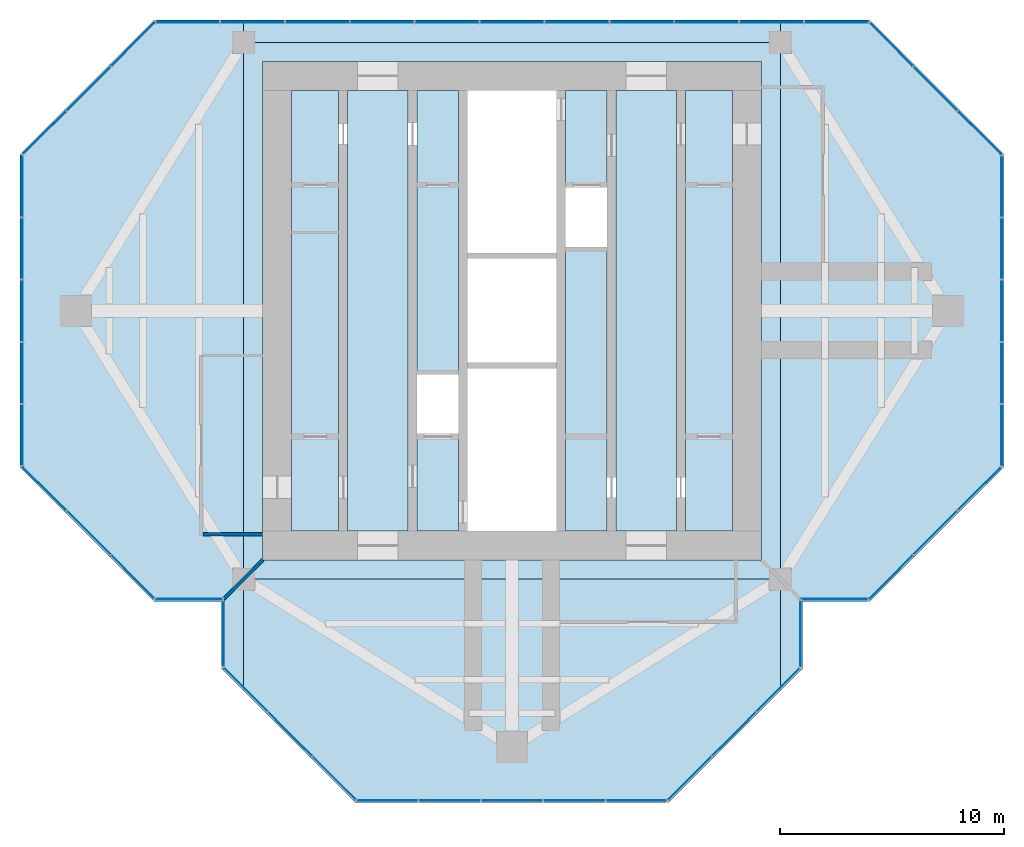
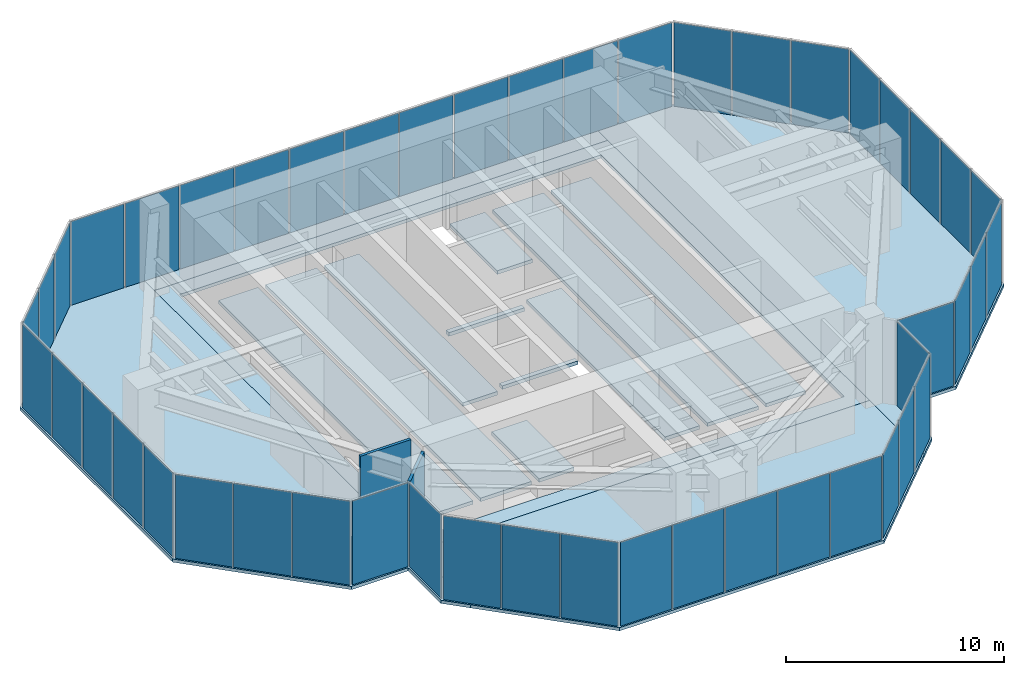
# One storey, part 8 of 10: 48 plates, 6 slabs, 2 walls, 14 elements without a shape of their own.
"""IFC4 building model written with IfcOpenShell, lengths in metres."""

from ifc_helpers import new_model, si_unit, direction, frame, frame_2d, origin, origin_2d, place, context, subcontext, project, spatial, polyline, rectangle, outline, extrude, material, layer, layer_set, type_object, element, aggregate, save


model = new_model("IFC4")

# Units and contexts
model_context = context("Model", 3, precision=1e-05, world=origin(), true_north=direction((0.0, 1.0)))
body_context = subcontext(model_context, "Body", "Model", "MODEL_VIEW")
ifc_project = project(units=[si_unit("LENGTHUNIT", "METRE"), si_unit("AREAUNIT", "SQUARE_METRE"), si_unit("VOLUMEUNIT", "CUBIC_METRE"), si_unit("PLANEANGLEUNIT", "RADIAN"), si_unit("MASSUNIT", "GRAM", prefix="KILO")], contexts=[model_context])

# Site, building, storey
site_placement = place(None, origin())
site = spatial("IfcSite", under=ifc_project, at=site_placement, CompositionType="ELEMENT")
building_placement = place(site_placement, origin())
building = spatial("IfcBuilding", under=site, at=building_placement, Name="Mizan Broadcast Tower", CompositionType="ELEMENT")
storey_placement = place(building_placement, frame((0.0, 0.0, 311.300048828125)))
storey = spatial("IfcBuildingStorey", under=building, at=storey_placement, Name="L74", CompositionType="ELEMENT", Elevation=311.300048828125)

# Slab
ifc_material_1 = material(Name="Concrete C40/50", Category="concrete")
ifc_layer_1 = layer(ifc_material_1, 0.199951171875)
ifc_layer_set_1 = layer_set([ifc_layer_1], Name="Concrete C40/50")
slab_type_1 = type_object("IfcSlabType", Name="CORE FLOOR 200", PredefinedType="FLOOR", material=ifc_layer_set_1)
slab_1_placement = place(storey_placement, frame((0.0, 0.0, -0.199951171875)))
element("IfcSlab", 1, at=slab_1_placement, inside=storey, type_object=slab_type_1, Name="Core floor L74", PredefinedType="FLOOR", context=body_context, shape_type="SweptSolid", body=[
    extrude(outline(polyline([(-9.85009765625, -9.85009765625), (-7.75, -9.85009765625), (-7.75, 9.85009765625), (-9.85009765625, 9.85009765625), (-9.85009765625, -9.85009765625)])), origin(), (0.0, 0.0, 1.0), 0.199951171875),
    extrude(outline(polyline([(-4.64990234375, 9.85009765625), (-7.35009765625, 9.85009765625), (-7.35009765625, -9.85009765625), (-4.64990234375, -9.85009765625), (-4.64990234375, 9.85009765625)])), origin(), (0.0, 0.0, 1.0), 0.199951171875),
    extrude(outline(polyline([(-4.25, -9.85009765625), (-2.39990234375, -9.85009765625), (-2.39990234375, -5.5), (-4.25, -5.5), (-4.25, -9.85009765625)])), origin(), (0.0, 0.0, 1.0), 0.199951171875),
    extrude(outline(polyline([(-4.25, -2.85009765625), (-2.39990234375, -2.85009765625), (-2.39990234375, 9.85009765625), (-4.25, 9.85009765625), (-4.25, -2.85009765625)])), origin(), (0.0, 0.0, 1.0), 0.199951171875),
    extrude(outline(polyline([(2.0, -2.324951171875), (-2.0, -2.324951171875), (-2.0, -2.574951171875), (2.0, -2.574951171875), (2.0, -2.324951171875)])), origin(), (0.0, 0.0, 1.0), 0.199951171875),
    extrude(outline(polyline([(2.0, 2.574951171875), (-2.0, 2.574951171875), (-2.0, 2.324951171875), (2.0, 2.324951171875), (2.0, 2.574951171875)])), origin(), (0.0, 0.0, 1.0), 0.199951171875),
    extrude(outline(polyline([(4.25, -9.85009765625), (4.25, 2.85009765625), (2.39990234375, 2.85009765625), (2.39990234375, -9.85009765625), (4.25, -9.85009765625)])), origin(), (0.0, 0.0, 1.0), 0.199951171875),
    extrude(outline(polyline([(4.25, 5.5), (4.25, 9.85009765625), (2.39990234375, 9.85009765625), (2.39990234375, 5.5), (4.25, 5.5)])), origin(), (0.0, 0.0, 1.0), 0.199951171875),
    extrude(outline(polyline([(7.35009765625, 9.85009765625), (4.64990234375, 9.85009765625), (4.64990234375, -9.85009765625), (7.35009765625, -9.85009765625), (7.35009765625, 9.85009765625)])), origin(), (0.0, 0.0, 1.0), 0.199951171875),
    extrude(outline(polyline([(9.85009765625, -9.85009765625), (9.85009765625, 9.85009765625), (7.75, 9.85009765625), (7.75, -9.85009765625), (9.85009765625, -9.85009765625)])), origin(), (0.0, 0.0, 1.0), 0.199951171875),
])

# Curtain wall, plate
ifc_material_2 = material(Name="Aluminium framed glazing", Category="aluminium")
curtain_wall_type = type_object("IfcCurtainWallType", Name="LANTERN", PredefinedType="USERDEFINED", material=ifc_material_2)
curtain_wall_1_placement = place(storey_placement, origin())
curtain_wall_1 = element("IfcCurtainWall", 2, at=curtain_wall_1_placement, inside=storey, type_object=curtain_wall_type, Name="Lantern L74 E side", ObjectType="LANTERN", PredefinedType="USERDEFINED")
ifc_material_3 = material(Name="Double glazing, clear laminated", Category="glass")
ifc_layer_2 = layer(ifc_material_3, 0.031982421875)
ifc_layer_set_2 = layer_set([ifc_layer_2], Name="Double glazing, clear laminated")
plate_type = type_object("IfcPlateType", Name="PODIUM GLAZING UNIT", PredefinedType="CURTAIN_PANEL", material=ifc_layer_set_2)
plate_1_placement = place(storey_placement, frame((14.42919921875, -12.89990234375, 0.0), z_axis=(0.0, 0.0, 1.0), x_axis=(1.0, 0.0, 0.0)))
plate_1 = element("IfcPlate", 3, at=plate_1_placement, type_object=plate_type, Name="Lantern L74 E side panel 1.1", PredefinedType="CURTAIN_PANEL", context=body_context, shape_type="SweptSolid", body=[
    extrude(rectangle(XDim=2.9384765625, YDim=0.031982421875, at=origin_2d()), origin(), (0.0, 0.0, 1.0), 4.68994140625),
])
aggregate(curtain_wall_1, [plate_1])

# Curtain wall, plates
curtain_wall_2_placement = place(storey_placement, origin())
curtain_wall_2 = element("IfcCurtainWall", 4, at=curtain_wall_2_placement, inside=storey, type_object=curtain_wall_type, Name="Lantern L74 E chamfer", ObjectType="LANTERN", PredefinedType="USERDEFINED")
plate_2_placement = place(storey_placement, frame((16.95947265625, -11.899169921875, 0.0), z_axis=(0.0, 0.0, 1.0), x_axis=(0.707106781187, 0.707106781187, 0.0)))
plate_2 = element("IfcPlate", 5, at=plate_2_placement, type_object=plate_type, Name="Lantern L74 E chamfer panel 1.1", PredefinedType="CURTAIN_PANEL", context=body_context, shape_type="SweptSolid", body=[
    extrude(rectangle(XDim=2.710693359375, YDim=0.031982421875, at=origin_2d()), origin(), (0.0, 0.0, 1.0), 4.68994140625),
])
plate_3_placement = place(storey_placement, frame((18.92919921875, -9.92919921875, 0.0), z_axis=(0.0, 0.0, 1.0), x_axis=(0.707106781187, 0.707106781187, 0.0)))
plate_3 = element("IfcPlate", 6, at=plate_3_placement, type_object=plate_type, Name="Lantern L74 E chamfer panel 2.1", PredefinedType="CURTAIN_PANEL", context=body_context, shape_type="SweptSolid", body=[
    extrude(rectangle(XDim=2.74072265625, YDim=0.031982421875, at=origin_2d()), origin(), (0.0, 0.0, 1.0), 4.68994140625),
])
plate_4_placement = place(storey_placement, frame((20.899169921875, -7.95947265625, 0.0), z_axis=(0.0, 0.0, 1.0), x_axis=(0.707106781187, 0.707106781187, 0.0)))
plate_4 = element("IfcPlate", 7, at=plate_4_placement, type_object=plate_type, Name="Lantern L74 E chamfer panel 3.1", PredefinedType="CURTAIN_PANEL", context=body_context, shape_type="SweptSolid", body=[
    extrude(rectangle(XDim=2.710693359375, YDim=0.031982421875, at=origin_2d()), origin(), (0.0, 0.0, 1.0), 4.68994140625),
])
aggregate(curtain_wall_2, [plate_2, plate_3, plate_4])

curtain_wall_3_placement = place(storey_placement, origin())
curtain_wall_3 = element("IfcCurtainWall", 8, at=curtain_wall_3_placement, inside=storey, type_object=curtain_wall_type, Name="Lantern L74 E end", ObjectType="LANTERN", PredefinedType="USERDEFINED")
plate_5_placement = place(storey_placement, frame((21.89990234375, -5.5517578125, 0.0), z_axis=(0.0, 0.0, 1.0), x_axis=(0.0, 1.0, 0.0)))
plate_5 = element("IfcPlate", 9, at=plate_5_placement, type_object=plate_type, Name="Lantern L74 E end panel 1.1", PredefinedType="CURTAIN_PANEL", context=body_context, shape_type="SweptSolid", body=[
    extrude(rectangle(XDim=2.693359375, YDim=0.031982421875, at=origin_2d()), origin(), (0.0, 0.0, 1.0), 4.68994140625),
])
plate_6_placement = place(storey_placement, frame((21.89990234375, -2.783447265625, 0.0), z_axis=(0.0, 0.0, 1.0), x_axis=(0.0, 1.0, 0.0)))
plate_6 = element("IfcPlate", 10, at=plate_6_placement, type_object=plate_type, Name="Lantern L74 E end panel 2.1", PredefinedType="CURTAIN_PANEL", context=body_context, shape_type="SweptSolid", body=[
    extrude(rectangle(XDim=2.723388671875, YDim=0.031982421875, at=origin_2d()), origin(), (0.0, 0.0, 1.0), 4.68994140625),
])
plate_7_placement = place(storey_placement, frame((21.89990234375, 0.0, 0.0), z_axis=(0.0, 0.0, 1.0), x_axis=(0.0, 1.0, 0.0)))
plate_7 = element("IfcPlate", 11, at=plate_7_placement, type_object=plate_type, Name="Lantern L74 E end panel 3.1", PredefinedType="CURTAIN_PANEL", context=body_context, shape_type="SweptSolid", body=[
    extrude(rectangle(XDim=2.723388671875, YDim=0.031982421875, at=origin_2d()), origin(), (0.0, 0.0, 1.0), 4.68994140625),
])
plate_8_placement = place(storey_placement, frame((21.89990234375, 2.783447265625, 0.0), z_axis=(0.0, 0.0, 1.0), x_axis=(0.0, 1.0, 0.0)))
plate_8 = element("IfcPlate", 12, at=plate_8_placement, type_object=plate_type, Name="Lantern L74 E end panel 4.1", PredefinedType="CURTAIN_PANEL", context=body_context, shape_type="SweptSolid", body=[
    extrude(rectangle(XDim=2.723388671875, YDim=0.031982421875, at=origin_2d()), origin(), (0.0, 0.0, 1.0), 4.68994140625),
])
plate_9_placement = place(storey_placement, frame((21.89990234375, 5.5517578125, 0.0), z_axis=(0.0, 0.0, 1.0), x_axis=(0.0, 1.0, 0.0)))
plate_9 = element("IfcPlate", 13, at=plate_9_placement, type_object=plate_type, Name="Lantern L74 E end panel 5.1", PredefinedType="CURTAIN_PANEL", context=body_context, shape_type="SweptSolid", body=[
    extrude(rectangle(XDim=2.693359375, YDim=0.031982421875, at=origin_2d()), origin(), (0.0, 0.0, 1.0), 4.68994140625),
])
aggregate(curtain_wall_3, [plate_5, plate_6, plate_7, plate_8, plate_9])

curtain_wall_4_placement = place(storey_placement, origin())
curtain_wall_4 = element("IfcCurtainWall", 14, at=curtain_wall_4_placement, inside=storey, type_object=curtain_wall_type, Name="Lantern L74 E chamfer", ObjectType="LANTERN", PredefinedType="USERDEFINED")
plate_10_placement = place(storey_placement, frame((20.899169921875, 7.95947265625, 0.0), z_axis=(0.0, 0.0, 1.0), x_axis=(-0.707106781187, 0.707106781187, 0.0)))
plate_10 = element("IfcPlate", 15, at=plate_10_placement, type_object=plate_type, Name="Lantern L74 E chamfer panel 1.1", PredefinedType="CURTAIN_PANEL", context=body_context, shape_type="SweptSolid", body=[
    extrude(rectangle(XDim=2.710693359375, YDim=0.031982421875, at=origin_2d()), origin(), (0.0, 0.0, 1.0), 4.68994140625),
])
plate_11_placement = place(storey_placement, frame((18.92919921875, 9.92919921875, 0.0), z_axis=(0.0, 0.0, 1.0), x_axis=(-0.707106781187, 0.707106781187, 0.0)))
plate_11 = element("IfcPlate", 16, at=plate_11_placement, type_object=plate_type, Name="Lantern L74 E chamfer panel 2.1", PredefinedType="CURTAIN_PANEL", context=body_context, shape_type="SweptSolid", body=[
    extrude(rectangle(XDim=2.74072265625, YDim=0.031982421875, at=origin_2d()), origin(), (0.0, 0.0, 1.0), 4.68994140625),
])
plate_12_placement = place(storey_placement, frame((16.95947265625, 11.899169921875, 0.0), z_axis=(0.0, 0.0, 1.0), x_axis=(-0.707106781187, 0.707106781187, 0.0)))
plate_12 = element("IfcPlate", 17, at=plate_12_placement, type_object=plate_type, Name="Lantern L74 E chamfer panel 3.1", PredefinedType="CURTAIN_PANEL", context=body_context, shape_type="SweptSolid", body=[
    extrude(rectangle(XDim=2.710693359375, YDim=0.031982421875, at=origin_2d()), origin(), (0.0, 0.0, 1.0), 4.68994140625),
])
aggregate(curtain_wall_4, [plate_10, plate_11, plate_12])

curtain_wall_5_placement = place(storey_placement, origin())
curtain_wall_5 = element("IfcCurtainWall", 18, at=curtain_wall_5_placement, inside=storey, type_object=curtain_wall_type, Name="Lantern L74 N end", ObjectType="LANTERN", PredefinedType="USERDEFINED")
plate_13_placement = place(storey_placement, frame((14.492919921875, 12.89990234375, 0.0), z_axis=(0.0, 0.0, 1.0), x_axis=(-1.0, 0.0, 0.0)))
plate_13 = element("IfcPlate", 19, at=plate_13_placement, type_object=plate_type, Name="Lantern L74 N end panel 1.1", PredefinedType="CURTAIN_PANEL", context=body_context, shape_type="SweptSolid", body=[
    extrude(rectangle(XDim=2.8115234375, YDim=0.031982421875, at=origin_2d()), origin(), (0.0, 0.0, 1.0), 4.68994140625),
])
plate_14_placement = place(storey_placement, frame((11.606201171875, 12.89990234375, 0.0), z_axis=(0.0, 0.0, 1.0), x_axis=(-1.0, 0.0, 0.0)))
plate_14 = element("IfcPlate", 20, at=plate_14_placement, type_object=plate_type, Name="Lantern L74 N end panel 2.1", PredefinedType="CURTAIN_PANEL", context=body_context, shape_type="SweptSolid", body=[
    extrude(rectangle(XDim=2.841552734375, YDim=0.031982421875, at=origin_2d()), origin(), (0.0, 0.0, 1.0), 4.68994140625),
])
plate_15_placement = place(storey_placement, frame((8.70458984375, 12.89990234375, 0.0), z_axis=(0.0, 0.0, 1.0), x_axis=(-1.0, 0.0, 0.0)))
plate_15 = element("IfcPlate", 21, at=plate_15_placement, type_object=plate_type, Name="Lantern L74 N end panel 3.1", PredefinedType="CURTAIN_PANEL", context=body_context, shape_type="SweptSolid", body=[
    extrude(rectangle(XDim=2.841552734375, YDim=0.031982421875, at=origin_2d()), origin(), (0.0, 0.0, 1.0), 4.68994140625),
])
plate_16_placement = place(storey_placement, frame((5.80322265625, 12.89990234375, 0.0), z_axis=(0.0, 0.0, 1.0), x_axis=(-1.0, 0.0, 0.0)))
plate_16 = element("IfcPlate", 22, at=plate_16_placement, type_object=plate_type, Name="Lantern L74 N end panel 4.1", PredefinedType="CURTAIN_PANEL", context=body_context, shape_type="SweptSolid", body=[
    extrude(rectangle(XDim=2.841552734375, YDim=0.031982421875, at=origin_2d()), origin(), (0.0, 0.0, 1.0), 4.68994140625),
])
plate_17_placement = place(storey_placement, frame((2.901611328125, 12.89990234375, 0.0), z_axis=(0.0, 0.0, 1.0), x_axis=(-1.0, 0.0, 0.0)))
plate_17 = element("IfcPlate", 23, at=plate_17_placement, type_object=plate_type, Name="Lantern L74 N end panel 5.1", PredefinedType="CURTAIN_PANEL", context=body_context, shape_type="SweptSolid", body=[
    extrude(rectangle(XDim=2.841552734375, YDim=0.031982421875, at=origin_2d()), origin(), (0.0, 0.0, 1.0), 4.68994140625),
])
plate_18_placement = place(storey_placement, frame((0.0, 12.89990234375, 0.0), z_axis=(0.0, 0.0, 1.0), x_axis=(-1.0, 0.0, 0.0)))
plate_18 = element("IfcPlate", 24, at=plate_18_placement, type_object=plate_type, Name="Lantern L74 N end panel 6.1", PredefinedType="CURTAIN_PANEL", context=body_context, shape_type="SweptSolid", body=[
    extrude(rectangle(XDim=2.841552734375, YDim=0.031982421875, at=origin_2d()), origin(), (0.0, 0.0, 1.0), 4.68994140625),
])
plate_19_placement = place(storey_placement, frame((-2.901611328125, 12.89990234375, 0.0), z_axis=(0.0, 0.0, 1.0), x_axis=(-1.0, 0.0, 0.0)))
plate_19 = element("IfcPlate", 25, at=plate_19_placement, type_object=plate_type, Name="Lantern L74 N end panel 7.1", PredefinedType="CURTAIN_PANEL", context=body_context, shape_type="SweptSolid", body=[
    extrude(rectangle(XDim=2.841552734375, YDim=0.031982421875, at=origin_2d()), origin(), (0.0, 0.0, 1.0), 4.68994140625),
])
plate_20_placement = place(storey_placement, frame((-5.80322265625, 12.89990234375, 0.0), z_axis=(0.0, 0.0, 1.0), x_axis=(-1.0, 0.0, 0.0)))
plate_20 = element("IfcPlate", 26, at=plate_20_placement, type_object=plate_type, Name="Lantern L74 N end panel 8.1", PredefinedType="CURTAIN_PANEL", context=body_context, shape_type="SweptSolid", body=[
    extrude(rectangle(XDim=2.841552734375, YDim=0.031982421875, at=origin_2d()), origin(), (0.0, 0.0, 1.0), 4.68994140625),
])
plate_21_placement = place(storey_placement, frame((-8.70458984375, 12.89990234375, 0.0), z_axis=(0.0, 0.0, 1.0), x_axis=(-1.0, 0.0, 0.0)))
plate_21 = element("IfcPlate", 27, at=plate_21_placement, type_object=plate_type, Name="Lantern L74 N end panel 9.1", PredefinedType="CURTAIN_PANEL", context=body_context, shape_type="SweptSolid", body=[
    extrude(rectangle(XDim=2.841552734375, YDim=0.031982421875, at=origin_2d()), origin(), (0.0, 0.0, 1.0), 4.68994140625),
])
plate_22_placement = place(storey_placement, frame((-11.606201171875, 12.89990234375, 0.0), z_axis=(0.0, 0.0, 1.0), x_axis=(-1.0, 0.0, 0.0)))
plate_22 = element("IfcPlate", 28, at=plate_22_placement, type_object=plate_type, Name="Lantern L74 N end panel 10.1", PredefinedType="CURTAIN_PANEL", context=body_context, shape_type="SweptSolid", body=[
    extrude(rectangle(XDim=2.841552734375, YDim=0.031982421875, at=origin_2d()), origin(), (0.0, 0.0, 1.0), 4.68994140625),
])
plate_23_placement = place(storey_placement, frame((-14.492919921875, 12.89990234375, 0.0), z_axis=(0.0, 0.0, 1.0), x_axis=(-1.0, 0.0, 0.0)))
plate_23 = element("IfcPlate", 29, at=plate_23_placement, type_object=plate_type, Name="Lantern L74 N end panel 11.1", PredefinedType="CURTAIN_PANEL", context=body_context, shape_type="SweptSolid", body=[
    extrude(rectangle(XDim=2.8115234375, YDim=0.031982421875, at=origin_2d()), origin(), (0.0, 0.0, 1.0), 4.68994140625),
])
aggregate(curtain_wall_5, [plate_13, plate_14, plate_15, plate_16, plate_17, plate_18, plate_19, plate_20, plate_21, plate_22, plate_23])

curtain_wall_6_placement = place(storey_placement, origin())
curtain_wall_6 = element("IfcCurtainWall", 30, at=curtain_wall_6_placement, inside=storey, type_object=curtain_wall_type, Name="Lantern L74 W chamfer", ObjectType="LANTERN", PredefinedType="USERDEFINED")
plate_24_placement = place(storey_placement, frame((-16.95947265625, 11.899169921875, 0.0), z_axis=(0.0, 0.0, 1.0), x_axis=(-0.707106781187, -0.707106781187, 0.0)))
plate_24 = element("IfcPlate", 31, at=plate_24_placement, type_object=plate_type, Name="Lantern L74 W chamfer panel 1.1", PredefinedType="CURTAIN_PANEL", context=body_context, shape_type="SweptSolid", body=[
    extrude(rectangle(XDim=2.710693359375, YDim=0.031982421875, at=origin_2d()), origin(), (0.0, 0.0, 1.0), 4.68994140625),
])
plate_25_placement = place(storey_placement, frame((-18.92919921875, 9.92919921875, 0.0), z_axis=(0.0, 0.0, 1.0), x_axis=(-0.707106781187, -0.707106781187, 0.0)))
plate_25 = element("IfcPlate", 32, at=plate_25_placement, type_object=plate_type, Name="Lantern L74 W chamfer panel 2.1", PredefinedType="CURTAIN_PANEL", context=body_context, shape_type="SweptSolid", body=[
    extrude(rectangle(XDim=2.74072265625, YDim=0.031982421875, at=origin_2d()), origin(), (0.0, 0.0, 1.0), 4.68994140625),
])
plate_26_placement = place(storey_placement, frame((-20.899169921875, 7.95947265625, 0.0), z_axis=(0.0, 0.0, 1.0), x_axis=(-0.707106781187, -0.707106781187, 0.0)))
plate_26 = element("IfcPlate", 33, at=plate_26_placement, type_object=plate_type, Name="Lantern L74 W chamfer panel 3.1", PredefinedType="CURTAIN_PANEL", context=body_context, shape_type="SweptSolid", body=[
    extrude(rectangle(XDim=2.710693359375, YDim=0.031982421875, at=origin_2d()), origin(), (0.0, 0.0, 1.0), 4.68994140625),
])
aggregate(curtain_wall_6, [plate_24, plate_25, plate_26])

curtain_wall_7_placement = place(storey_placement, origin())
curtain_wall_7 = element("IfcCurtainWall", 34, at=curtain_wall_7_placement, inside=storey, type_object=curtain_wall_type, Name="Lantern L74 W end", ObjectType="LANTERN", PredefinedType="USERDEFINED")
plate_27_placement = place(storey_placement, frame((-21.89990234375, 5.5517578125, 0.0), z_axis=(0.0, 0.0, 1.0), x_axis=(0.0, -1.0, 0.0)))
plate_27 = element("IfcPlate", 35, at=plate_27_placement, type_object=plate_type, Name="Lantern L74 W end panel 1.1", PredefinedType="CURTAIN_PANEL", context=body_context, shape_type="SweptSolid", body=[
    extrude(rectangle(XDim=2.693359375, YDim=0.031982421875, at=origin_2d()), origin(), (0.0, 0.0, 1.0), 4.68994140625),
])
plate_28_placement = place(storey_placement, frame((-21.89990234375, 2.783447265625, 0.0), z_axis=(0.0, 0.0, 1.0), x_axis=(0.0, -1.0, 0.0)))
plate_28 = element("IfcPlate", 36, at=plate_28_placement, type_object=plate_type, Name="Lantern L74 W end panel 2.1", PredefinedType="CURTAIN_PANEL", context=body_context, shape_type="SweptSolid", body=[
    extrude(rectangle(XDim=2.723388671875, YDim=0.031982421875, at=origin_2d()), origin(), (0.0, 0.0, 1.0), 4.68994140625),
])
plate_29_placement = place(storey_placement, frame((-21.89990234375, 0.0, 0.0), z_axis=(0.0, 0.0, 1.0), x_axis=(0.0, -1.0, 0.0)))
plate_29 = element("IfcPlate", 37, at=plate_29_placement, type_object=plate_type, Name="Lantern L74 W end panel 3.1", PredefinedType="CURTAIN_PANEL", context=body_context, shape_type="SweptSolid", body=[
    extrude(rectangle(XDim=2.723388671875, YDim=0.031982421875, at=origin_2d()), origin(), (0.0, 0.0, 1.0), 4.68994140625),
])
plate_30_placement = place(storey_placement, frame((-21.89990234375, -2.783447265625, 0.0), z_axis=(0.0, 0.0, 1.0), x_axis=(0.0, -1.0, 0.0)))
plate_30 = element("IfcPlate", 38, at=plate_30_placement, type_object=plate_type, Name="Lantern L74 W end panel 4.1", PredefinedType="CURTAIN_PANEL", context=body_context, shape_type="SweptSolid", body=[
    extrude(rectangle(XDim=2.723388671875, YDim=0.031982421875, at=origin_2d()), origin(), (0.0, 0.0, 1.0), 4.68994140625),
])
plate_31_placement = place(storey_placement, frame((-21.89990234375, -5.5517578125, 0.0), z_axis=(0.0, 0.0, 1.0), x_axis=(0.0, -1.0, 0.0)))
plate_31 = element("IfcPlate", 39, at=plate_31_placement, type_object=plate_type, Name="Lantern L74 W end panel 5.1", PredefinedType="CURTAIN_PANEL", context=body_context, shape_type="SweptSolid", body=[
    extrude(rectangle(XDim=2.693359375, YDim=0.031982421875, at=origin_2d()), origin(), (0.0, 0.0, 1.0), 4.68994140625),
])
aggregate(curtain_wall_7, [plate_27, plate_28, plate_29, plate_30, plate_31])

curtain_wall_8_placement = place(storey_placement, origin())
curtain_wall_8 = element("IfcCurtainWall", 40, at=curtain_wall_8_placement, inside=storey, type_object=curtain_wall_type, Name="Lantern L74 W chamfer", ObjectType="LANTERN", PredefinedType="USERDEFINED")
plate_32_placement = place(storey_placement, frame((-20.899169921875, -7.95947265625, 0.0), z_axis=(0.0, 0.0, 1.0), x_axis=(0.707106781187, -0.707106781187, 0.0)))
plate_32 = element("IfcPlate", 41, at=plate_32_placement, type_object=plate_type, Name="Lantern L74 W chamfer panel 1.1", PredefinedType="CURTAIN_PANEL", context=body_context, shape_type="SweptSolid", body=[
    extrude(rectangle(XDim=2.710693359375, YDim=0.031982421875, at=origin_2d()), origin(), (0.0, 0.0, 1.0), 4.68994140625),
])
plate_33_placement = place(storey_placement, frame((-18.92919921875, -9.92919921875, 0.0), z_axis=(0.0, 0.0, 1.0), x_axis=(0.707106781187, -0.707106781187, 0.0)))
plate_33 = element("IfcPlate", 42, at=plate_33_placement, type_object=plate_type, Name="Lantern L74 W chamfer panel 2.1", PredefinedType="CURTAIN_PANEL", context=body_context, shape_type="SweptSolid", body=[
    extrude(rectangle(XDim=2.74072265625, YDim=0.031982421875, at=origin_2d()), origin(), (0.0, 0.0, 1.0), 4.68994140625),
])
plate_34_placement = place(storey_placement, frame((-16.95947265625, -11.899169921875, 0.0), z_axis=(0.0, 0.0, 1.0), x_axis=(0.707106781187, -0.707106781187, 0.0)))
plate_34 = element("IfcPlate", 43, at=plate_34_placement, type_object=plate_type, Name="Lantern L74 W chamfer panel 3.1", PredefinedType="CURTAIN_PANEL", context=body_context, shape_type="SweptSolid", body=[
    extrude(rectangle(XDim=2.710693359375, YDim=0.031982421875, at=origin_2d()), origin(), (0.0, 0.0, 1.0), 4.68994140625),
])
aggregate(curtain_wall_8, [plate_32, plate_33, plate_34])

# Curtain wall, plate
curtain_wall_9_placement = place(storey_placement, origin())
curtain_wall_9 = element("IfcCurtainWall", 44, at=curtain_wall_9_placement, inside=storey, type_object=curtain_wall_type, Name="Lantern L74 W side", ObjectType="LANTERN", PredefinedType="USERDEFINED")
plate_35_placement = place(storey_placement, frame((-14.42919921875, -12.89990234375, 0.0), z_axis=(0.0, 0.0, 1.0), x_axis=(1.0, 0.0, 0.0)))
plate_35 = element("IfcPlate", 45, at=plate_35_placement, type_object=plate_type, Name="Lantern L74 W side panel 1.1", PredefinedType="CURTAIN_PANEL", context=body_context, shape_type="SweptSolid", body=[
    extrude(rectangle(XDim=2.9384765625, YDim=0.031982421875, at=origin_2d()), origin(), (0.0, 0.0, 1.0), 4.68994140625),
])
aggregate(curtain_wall_9, [plate_35])

curtain_wall_10_placement = place(storey_placement, origin())
curtain_wall_10 = element("IfcCurtainWall", 46, at=curtain_wall_10_placement, inside=storey, type_object=curtain_wall_type, Name="Lantern L74 S side", ObjectType="LANTERN", PredefinedType="USERDEFINED")
plate_36_placement = place(storey_placement, frame((-12.89990234375, -14.42919921875, 0.0), z_axis=(0.0, 0.0, 1.0), x_axis=(0.0, -1.0, 0.0)))
plate_36 = element("IfcPlate", 47, at=plate_36_placement, type_object=plate_type, Name="Lantern L74 S side panel 1.1", PredefinedType="CURTAIN_PANEL", context=body_context, shape_type="SweptSolid", body=[
    extrude(rectangle(XDim=2.9384765625, YDim=0.031982421875, at=origin_2d()), origin(), (0.0, 0.0, 1.0), 4.68994140625),
])
aggregate(curtain_wall_10, [plate_36])

# Curtain wall, plates
curtain_wall_11_placement = place(storey_placement, origin())
curtain_wall_11 = element("IfcCurtainWall", 48, at=curtain_wall_11_placement, inside=storey, type_object=curtain_wall_type, Name="Lantern L74 S chamfer", ObjectType="LANTERN", PredefinedType="USERDEFINED")
plate_37_placement = place(storey_placement, frame((-11.899169921875, -16.95947265625, 0.0), z_axis=(0.0, 0.0, 1.0), x_axis=(0.707106781187, -0.707106781187, 0.0)))
plate_37 = element("IfcPlate", 49, at=plate_37_placement, type_object=plate_type, Name="Lantern L74 S chamfer panel 1.1", PredefinedType="CURTAIN_PANEL", context=body_context, shape_type="SweptSolid", body=[
    extrude(rectangle(XDim=2.710693359375, YDim=0.031982421875, at=origin_2d()), origin(), (0.0, 0.0, 1.0), 4.68994140625),
])
plate_38_placement = place(storey_placement, frame((-9.92919921875, -18.92919921875, 0.0), z_axis=(0.0, 0.0, 1.0), x_axis=(0.707106781187, -0.707106781187, 0.0)))
plate_38 = element("IfcPlate", 50, at=plate_38_placement, type_object=plate_type, Name="Lantern L74 S chamfer panel 2.1", PredefinedType="CURTAIN_PANEL", context=body_context, shape_type="SweptSolid", body=[
    extrude(rectangle(XDim=2.74072265625, YDim=0.031982421875, at=origin_2d()), origin(), (0.0, 0.0, 1.0), 4.68994140625),
])
plate_39_placement = place(storey_placement, frame((-7.95947265625, -20.899169921875, 0.0), z_axis=(0.0, 0.0, 1.0), x_axis=(0.707106781187, -0.707106781187, 0.0)))
plate_39 = element("IfcPlate", 51, at=plate_39_placement, type_object=plate_type, Name="Lantern L74 S chamfer panel 3.1", PredefinedType="CURTAIN_PANEL", context=body_context, shape_type="SweptSolid", body=[
    extrude(rectangle(XDim=2.710693359375, YDim=0.031982421875, at=origin_2d()), origin(), (0.0, 0.0, 1.0), 4.68994140625),
])
aggregate(curtain_wall_11, [plate_37, plate_38, plate_39])

curtain_wall_12_placement = place(storey_placement, origin())
curtain_wall_12 = element("IfcCurtainWall", 52, at=curtain_wall_12_placement, inside=storey, type_object=curtain_wall_type, Name="Lantern L74 S end", ObjectType="LANTERN", PredefinedType="USERDEFINED")
plate_40_placement = place(storey_placement, frame((-5.5517578125, -21.89990234375, 0.0), z_axis=(0.0, 0.0, 1.0), x_axis=(1.0, 0.0, 0.0)))
plate_40 = element("IfcPlate", 53, at=plate_40_placement, type_object=plate_type, Name="Lantern L74 S end panel 1.1", PredefinedType="CURTAIN_PANEL", context=body_context, shape_type="SweptSolid", body=[
    extrude(rectangle(XDim=2.693359375, YDim=0.031982421875, at=origin_2d()), origin(), (0.0, 0.0, 1.0), 4.68994140625),
])
plate_41_placement = place(storey_placement, frame((-2.783447265625, -21.89990234375, 0.0), z_axis=(0.0, 0.0, 1.0), x_axis=(1.0, 0.0, 0.0)))
plate_41 = element("IfcPlate", 54, at=plate_41_placement, type_object=plate_type, Name="Lantern L74 S end panel 2.1", PredefinedType="CURTAIN_PANEL", context=body_context, shape_type="SweptSolid", body=[
    extrude(rectangle(XDim=2.723388671875, YDim=0.031982421875, at=origin_2d()), origin(), (0.0, 0.0, 1.0), 4.68994140625),
])
plate_42_placement = place(storey_placement, frame((0.0, -21.89990234375, 0.0), z_axis=(0.0, 0.0, 1.0), x_axis=(1.0, 0.0, 0.0)))
plate_42 = element("IfcPlate", 55, at=plate_42_placement, type_object=plate_type, Name="Lantern L74 S end panel 3.1", PredefinedType="CURTAIN_PANEL", context=body_context, shape_type="SweptSolid", body=[
    extrude(rectangle(XDim=2.723388671875, YDim=0.031982421875, at=origin_2d()), origin(), (0.0, 0.0, 1.0), 4.68994140625),
])
plate_43_placement = place(storey_placement, frame((2.783447265625, -21.89990234375, 0.0), z_axis=(0.0, 0.0, 1.0), x_axis=(1.0, 0.0, 0.0)))
plate_43 = element("IfcPlate", 56, at=plate_43_placement, type_object=plate_type, Name="Lantern L74 S end panel 4.1", PredefinedType="CURTAIN_PANEL", context=body_context, shape_type="SweptSolid", body=[
    extrude(rectangle(XDim=2.723388671875, YDim=0.031982421875, at=origin_2d()), origin(), (0.0, 0.0, 1.0), 4.68994140625),
])
plate_44_placement = place(storey_placement, frame((5.5517578125, -21.89990234375, 0.0), z_axis=(0.0, 0.0, 1.0), x_axis=(1.0, 0.0, 0.0)))
plate_44 = element("IfcPlate", 57, at=plate_44_placement, type_object=plate_type, Name="Lantern L74 S end panel 5.1", PredefinedType="CURTAIN_PANEL", context=body_context, shape_type="SweptSolid", body=[
    extrude(rectangle(XDim=2.693359375, YDim=0.031982421875, at=origin_2d()), origin(), (0.0, 0.0, 1.0), 4.68994140625),
])
aggregate(curtain_wall_12, [plate_40, plate_41, plate_42, plate_43, plate_44])

curtain_wall_13_placement = place(storey_placement, origin())
curtain_wall_13 = element("IfcCurtainWall", 58, at=curtain_wall_13_placement, inside=storey, type_object=curtain_wall_type, Name="Lantern L74 S chamfer", ObjectType="LANTERN", PredefinedType="USERDEFINED")
plate_45_placement = place(storey_placement, frame((7.95947265625, -20.899169921875, 0.0), z_axis=(0.0, 0.0, 1.0), x_axis=(0.707106781187, 0.707106781187, 0.0)))
plate_45 = element("IfcPlate", 59, at=plate_45_placement, type_object=plate_type, Name="Lantern L74 S chamfer panel 1.1", PredefinedType="CURTAIN_PANEL", context=body_context, shape_type="SweptSolid", body=[
    extrude(rectangle(XDim=2.710693359375, YDim=0.031982421875, at=origin_2d()), origin(), (0.0, 0.0, 1.0), 4.68994140625),
])
plate_46_placement = place(storey_placement, frame((9.92919921875, -18.92919921875, 0.0), z_axis=(0.0, 0.0, 1.0), x_axis=(0.707106781187, 0.707106781187, 0.0)))
plate_46 = element("IfcPlate", 60, at=plate_46_placement, type_object=plate_type, Name="Lantern L74 S chamfer panel 2.1", PredefinedType="CURTAIN_PANEL", context=body_context, shape_type="SweptSolid", body=[
    extrude(rectangle(XDim=2.74072265625, YDim=0.031982421875, at=origin_2d()), origin(), (0.0, 0.0, 1.0), 4.68994140625),
])
plate_47_placement = place(storey_placement, frame((11.899169921875, -16.95947265625, 0.0), z_axis=(0.0, 0.0, 1.0), x_axis=(0.707106781187, 0.707106781187, 0.0)))
plate_47 = element("IfcPlate", 61, at=plate_47_placement, type_object=plate_type, Name="Lantern L74 S chamfer panel 3.1", PredefinedType="CURTAIN_PANEL", context=body_context, shape_type="SweptSolid", body=[
    extrude(rectangle(XDim=2.710693359375, YDim=0.031982421875, at=origin_2d()), origin(), (0.0, 0.0, 1.0), 4.68994140625),
])
aggregate(curtain_wall_13, [plate_45, plate_46, plate_47])

# Curtain wall, plate
curtain_wall_14_placement = place(storey_placement, origin())
curtain_wall_14 = element("IfcCurtainWall", 62, at=curtain_wall_14_placement, inside=storey, type_object=curtain_wall_type, Name="Lantern L74 S side", ObjectType="LANTERN", PredefinedType="USERDEFINED")
plate_48_placement = place(storey_placement, frame((12.89990234375, -14.42919921875, 0.0), z_axis=(0.0, 0.0, 1.0), x_axis=(0.0, 1.0, 0.0)))
plate_48 = element("IfcPlate", 63, at=plate_48_placement, type_object=plate_type, Name="Lantern L74 S side panel 1.1", PredefinedType="CURTAIN_PANEL", context=body_context, shape_type="SweptSolid", body=[
    extrude(rectangle(XDim=2.9384765625, YDim=0.031982421875, at=origin_2d()), origin(), (0.0, 0.0, 1.0), 4.68994140625),
])
aggregate(curtain_wall_14, [plate_48])

# Slabs
ifc_material_4 = material(Name="Concrete C32/40", Category="concrete")
ifc_layer_3 = layer(ifc_material_4, 0.179931640625)
ifc_layer_set_3 = layer_set([ifc_layer_3], Name="Concrete C32/40")
slab_type_2 = type_object("IfcSlabType", Name="RC SLAB ON DECK 180", PredefinedType="FLOOR", material=ifc_layer_set_3)
slab_2_placement = place(storey_placement, frame((0.0, 0.0, -0.179931640625)))
element("IfcSlab", 64, at=slab_2_placement, inside=storey, type_object=slab_type_2, Name="Floor slab L74 centre", PredefinedType="FLOOR", context=body_context, shape_type="SweptSolid", body=[
    extrude(outline(polyline([(-12.0, -12.0), (12.0, -12.0), (12.0, 12.0), (-12.0, 12.0), (-12.0, -12.0)]), holes=[polyline([(-11.14990234375, 11.14990234375), (11.14990234375, 11.14990234375), (11.14990234375, -11.14990234375), (-11.14990234375, -11.14990234375), (-11.14990234375, 11.14990234375)])]), origin(), (0.0, 0.0, 1.0), 0.179931640625),
])
slab_3_placement = place(storey_placement, frame((0.0, 0.0, -0.179931640625)))
element("IfcSlab", 65, at=slab_3_placement, inside=storey, type_object=slab_type_2, Name="Floor slab L74 east arm", PredefinedType="FLOOR", context=body_context, shape_type="SweptSolid", body=[
    extrude(outline(polyline([(12.0, -17.0), (13.0, -16.0), (13.0, -13.0), (16.0, -13.0), (22.0, -7.0), (22.0, 7.0), (16.0, 13.0), (13.0, 13.0), (12.0, 13.0), (12.0, -17.0)])), origin(), (0.0, 0.0, 1.0), 0.179931640625),
])
slab_4_placement = place(storey_placement, frame((0.0, 0.0, -0.179931640625)))
element("IfcSlab", 66, at=slab_4_placement, inside=storey, type_object=slab_type_2, Name="Floor slab L74 west arm", PredefinedType="FLOOR", context=body_context, shape_type="SweptSolid", body=[
    extrude(outline(polyline([(-13.0, -16.0), (-12.0, -17.0), (-12.0, 13.0), (-13.0, 13.0), (-16.0, 13.0), (-22.0, 7.0), (-22.0, -7.0), (-16.0, -13.0), (-13.0, -13.0), (-13.0, -16.0)])), origin(), (0.0, 0.0, 1.0), 0.179931640625),
])
slab_5_placement = place(storey_placement, frame((0.0, 0.0, -0.179931640625)))
element("IfcSlab", 67, at=slab_5_placement, inside=storey, type_object=slab_type_2, Name="Floor slab L74 north arm", PredefinedType="FLOOR", context=body_context, shape_type="SweptSolid", body=[
    extrude(outline(polyline([(12.0, 13.0), (-12.0, 13.0), (-12.0, 12.0), (12.0, 12.0), (12.0, 13.0)])), origin(), (0.0, 0.0, 1.0), 0.179931640625),
])
slab_6_placement = place(storey_placement, frame((0.0, 0.0, -0.179931640625)))
element("IfcSlab", 68, at=slab_6_placement, inside=storey, type_object=slab_type_2, Name="Floor slab L74 south arm", PredefinedType="FLOOR", context=body_context, shape_type="SweptSolid", body=[
    extrude(outline(polyline([(7.0, -22.0), (12.0, -17.0), (12.0, -12.0), (-12.0, -12.0), (-12.0, -17.0), (-7.0, -22.0), (7.0, -22.0)])), origin(), (0.0, 0.0, 1.0), 0.179931640625),
])

# Walls
ifc_material_5 = material(Name="Gypsum board on steel studs", Category="steel")
ifc_layer_4 = layer(ifc_material_5, 0.14990234375)
ifc_layer_set_4 = layer_set([ifc_layer_4], Name="Gypsum board on steel studs")
wall_type_1 = type_object("IfcWallType", Name="PARTITION 150", PredefinedType="PARTITIONING", material=ifc_layer_set_4)
wall_1_placement = place(storey_placement, frame((-11.14990234375, -11.14990234375, 0.0), z_axis=(0.0, 0.0, 1.0), x_axis=(-0.707106781187, -0.707106781187, 0.0)))
element("IfcWall", 69, at=wall_1_placement, inside=storey, type_object=wall_type_1, Name="Partition PT/DGWS", PredefinedType="PARTITIONING", context=body_context, shape_type="SweptSolid", body=[
    extrude(rectangle(XDim=2.460693359375, YDim=0.14990234375, at=frame_2d((1.23046875, 0.0))), origin(), (0.0, 0.0, 1.0), 4.75),
])
ifc_material_6 = material(Name="Concrete blockwork", Category="masonry")
ifc_layer_5 = layer(ifc_material_6, 0.14990234375)
ifc_layer_set_5 = layer_set([ifc_layer_5], Name="Concrete blockwork")
wall_type_2 = type_object("IfcWallType", Name="PLANT ROOM ENCLOSURE WALL 150", PredefinedType="SOLIDWALL", material=ifc_layer_set_5)
wall_2_placement = place(storey_placement, frame((-11.14990234375, -10.0, 0.0), z_axis=(0.0, 0.0, 1.0), x_axis=(-1.0, 0.0, 0.0)))
element("IfcWall", 70, at=wall_2_placement, inside=storey, type_object=wall_type_2, Name="Plant room wall PT/WLV", PredefinedType="SOLIDWALL", context=body_context, shape_type="SweptSolid", body=[
    extrude(rectangle(XDim=2.675048828125, YDim=0.14990234375, at=frame_2d((1.33740234375, 0.0))), origin(), (0.0, 0.0, 1.0), 4.75),
])

save(model, "model.ifc")
